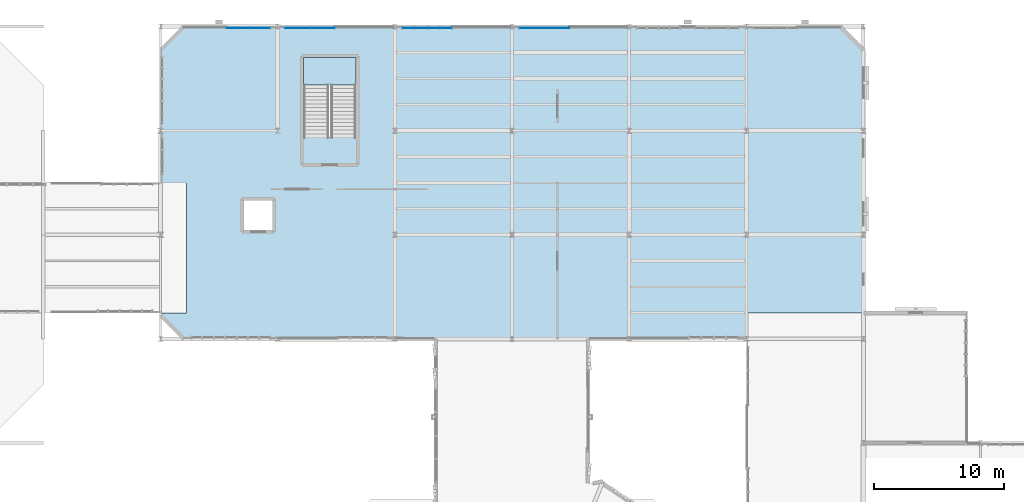
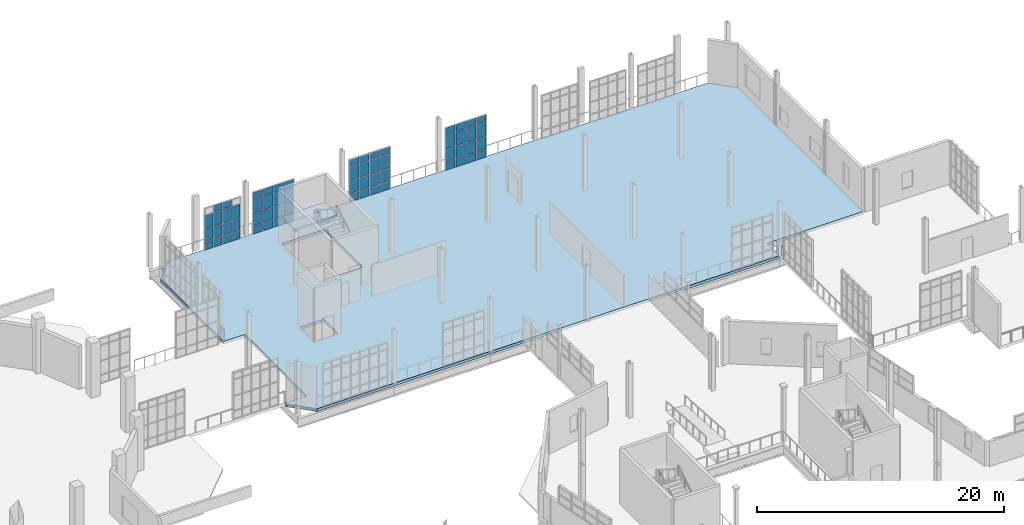
# One storey, part 113 of 142: 62 plates, 2 slabs, 5 elements without a shape of their own.
"""IFC4 building model written with IfcOpenShell, lengths in metres."""

from ifc_helpers import new_model, si_unit, direction, frame, origin, origin_2d, place, context, subcontext, project, spatial, polyline, rectangle, outline, extrude, material, layer, layer_set, type_object, element, aggregate, save


model = new_model("IFC4")

# Units and contexts
model_context = context("Model", 3, precision=1e-05, world=origin(), true_north=direction((0.0, 1.0)))
body_context = subcontext(model_context, "Body", "Model", "MODEL_VIEW")
ifc_project = project(units=[si_unit("LENGTHUNIT", "METRE"), si_unit("AREAUNIT", "SQUARE_METRE"), si_unit("VOLUMEUNIT", "CUBIC_METRE"), si_unit("PLANEANGLEUNIT", "RADIAN"), si_unit("MASSUNIT", "GRAM", prefix="KILO"), si_unit("THERMODYNAMICTEMPERATUREUNIT", "KELVIN"), si_unit("POWERUNIT", "WATT")], contexts=[model_context])

# Site, building, storey
site_placement = place(None, origin())
site = spatial("IfcSite", under=ifc_project, at=site_placement, CompositionType="ELEMENT")
building_placement = place(site_placement, origin())
building = spatial("IfcBuilding", under=site, at=building_placement, Name="Zelmaris Science Centre", CompositionType="ELEMENT")
storey_placement = place(building_placement, frame((0.0, 0.0, 5.39990234375)))
storey = spatial("IfcBuildingStorey", under=building, at=storey_placement, Name="L01", CompositionType="ELEMENT", Elevation=5.39990234375)

# Curtain wall, plates
ifc_material_1 = material(Name="Anodised architectural aluminium 6063-T6", Category="aluminium")
ifc_layer_1 = layer(ifc_material_1, 0.199951171875, Name="Anodised architectural aluminium 6063-T6")
ifc_layer_set_1 = layer_set([ifc_layer_1], Name="Anodised architectural aluminium 6063-T6")
curtain_wall_type_1 = type_object("IfcCurtainWallType", Name="Curtain Wall CW-02", PredefinedType="USERDEFINED", material=ifc_layer_set_1)
curtain_wall_1_placement = place(storey_placement, origin())
curtain_wall_1 = element("IfcCurtainWall", 1, at=curtain_wall_1_placement, inside=storey, type_object=curtain_wall_type_1, Name="L01 Unitised curtain wall 134", ObjectType="GLAZED CURTAIN WALL", PredefinedType="USERDEFINED")
ifc_material_2 = material(Name="Laminated hurricane-rated low-E insulated glazing", Category="glass")
ifc_layer_2 = layer(ifc_material_2, 0.028076171875, Name="Laminated hurricane-rated low-E insulated glazing")
ifc_layer_set_2 = layer_set([ifc_layer_2], Name="Laminated hurricane-rated low-E insulated glazing")
plate_type_1 = type_object("IfcPlateType", Name="Curtain Glazing Panel CWP-2 28mm", PredefinedType="CURTAIN_PANEL", material=ifc_layer_set_2)
plate_1_placement = place(storey_placement, frame((73.044189453125, 87.8798828125, 0.052001953125), z_axis=(0.0, 0.0, 1.0), x_axis=(1.0, 0.0, 0.0)))
plate_1 = element("IfcPlate", 2, at=plate_1_placement, type_object=plate_type_1, Name="CW-02 panel 1.1", PredefinedType="CURTAIN_PANEL", context=body_context, shape_type="SweptSolid", body=[
    extrude(rectangle(XDim=0.87451171875, YDim=0.028076171875, at=origin_2d()), origin(), (0.0, 0.0, 1.0), 0.74951171875),
])
plate_2_placement = place(storey_placement, frame((73.044189453125, 87.8798828125, 0.86865234375), z_axis=(0.0, 0.0, 1.0), x_axis=(1.0, 0.0, 0.0)))
plate_2 = element("IfcPlate", 3, at=plate_2_placement, type_object=plate_type_1, Name="CW-02 panel 1.2", PredefinedType="CURTAIN_PANEL", context=body_context, shape_type="SweptSolid", body=[
    extrude(rectangle(XDim=0.87451171875, YDim=0.028076171875, at=origin_2d()), origin(), (0.0, 0.0, 1.0), 1.217529296875),
])
plate_3_placement = place(storey_placement, frame((73.044189453125, 87.8798828125, 2.1533203125), z_axis=(0.0, 0.0, 1.0), x_axis=(1.0, 0.0, 0.0)))
plate_3 = element("IfcPlate", 4, at=plate_3_placement, type_object=plate_type_1, Name="CW-02 panel 1.3", PredefinedType="CURTAIN_PANEL", context=body_context, shape_type="SweptSolid", body=[
    extrude(rectangle(XDim=0.87451171875, YDim=0.028076171875, at=origin_2d()), origin(), (0.0, 0.0, 1.0), 1.367431640625),
])
plate_4_placement = place(storey_placement, frame((73.044189453125, 87.8798828125, 3.587646484375), z_axis=(0.0, 0.0, 1.0), x_axis=(1.0, 0.0, 0.0)))
plate_4 = element("IfcPlate", 5, at=plate_4_placement, type_object=plate_type_1, Name="CW-02 panel 1.4", PredefinedType="CURTAIN_PANEL", context=body_context, shape_type="SweptSolid", body=[
    extrude(rectangle(XDim=0.87451171875, YDim=0.028076171875, at=origin_2d()), origin(), (0.0, 0.0, 1.0), 0.599609375),
])
plate_5_placement = place(storey_placement, frame((74.00244140625, 87.8798828125, 0.052001953125), z_axis=(0.0, 0.0, 1.0), x_axis=(1.0, 0.0, 0.0)))
plate_5 = element("IfcPlate", 6, at=plate_5_placement, type_object=plate_type_1, Name="CW-02 panel 2.1", PredefinedType="CURTAIN_PANEL", context=body_context, shape_type="SweptSolid", body=[
    extrude(rectangle(XDim=0.907958984375, YDim=0.028076171875, at=origin_2d()), origin(), (0.0, 0.0, 1.0), 0.74951171875),
])
plate_6_placement = place(storey_placement, frame((74.00244140625, 87.8798828125, 0.86865234375), z_axis=(0.0, 0.0, 1.0), x_axis=(1.0, 0.0, 0.0)))
plate_6 = element("IfcPlate", 7, at=plate_6_placement, type_object=plate_type_1, Name="CW-02 panel 2.2", PredefinedType="CURTAIN_PANEL", context=body_context, shape_type="SweptSolid", body=[
    extrude(rectangle(XDim=0.907958984375, YDim=0.028076171875, at=origin_2d()), origin(), (0.0, 0.0, 1.0), 1.217529296875),
])
plate_7_placement = place(storey_placement, frame((74.00244140625, 87.8798828125, 2.1533203125), z_axis=(0.0, 0.0, 1.0), x_axis=(1.0, 0.0, 0.0)))
plate_7 = element("IfcPlate", 8, at=plate_7_placement, type_object=plate_type_1, Name="CW-02 panel 2.3", PredefinedType="CURTAIN_PANEL", context=body_context, shape_type="SweptSolid", body=[
    extrude(rectangle(XDim=0.907958984375, YDim=0.028076171875, at=origin_2d()), origin(), (0.0, 0.0, 1.0), 1.367431640625),
])
plate_8_placement = place(storey_placement, frame((74.00244140625, 87.8798828125, 3.587646484375), z_axis=(0.0, 0.0, 1.0), x_axis=(1.0, 0.0, 0.0)))
plate_8 = element("IfcPlate", 9, at=plate_8_placement, type_object=plate_type_1, Name="CW-02 panel 2.4", PredefinedType="CURTAIN_PANEL", context=body_context, shape_type="SweptSolid", body=[
    extrude(rectangle(XDim=0.907958984375, YDim=0.028076171875, at=origin_2d()), origin(), (0.0, 0.0, 1.0), 0.599609375),
])
plate_9_placement = place(storey_placement, frame((74.9775390625, 87.8798828125, 0.052001953125), z_axis=(0.0, 0.0, 1.0), x_axis=(1.0, 0.0, 0.0)))
plate_9 = element("IfcPlate", 10, at=plate_9_placement, type_object=plate_type_1, Name="CW-02 panel 3.1", PredefinedType="CURTAIN_PANEL", context=body_context, shape_type="SweptSolid", body=[
    extrude(rectangle(XDim=0.907958984375, YDim=0.028076171875, at=origin_2d()), origin(), (0.0, 0.0, 1.0), 0.74951171875),
])
plate_10_placement = place(storey_placement, frame((74.9775390625, 87.8798828125, 0.86865234375), z_axis=(0.0, 0.0, 1.0), x_axis=(1.0, 0.0, 0.0)))
plate_10 = element("IfcPlate", 11, at=plate_10_placement, type_object=plate_type_1, Name="CW-02 panel 3.2", PredefinedType="CURTAIN_PANEL", context=body_context, shape_type="SweptSolid", body=[
    extrude(rectangle(XDim=0.907958984375, YDim=0.028076171875, at=origin_2d()), origin(), (0.0, 0.0, 1.0), 1.217529296875),
])
plate_11_placement = place(storey_placement, frame((74.9775390625, 87.8798828125, 2.1533203125), z_axis=(0.0, 0.0, 1.0), x_axis=(1.0, 0.0, 0.0)))
plate_11 = element("IfcPlate", 12, at=plate_11_placement, type_object=plate_type_1, Name="CW-02 panel 3.3", PredefinedType="CURTAIN_PANEL", context=body_context, shape_type="SweptSolid", body=[
    extrude(rectangle(XDim=0.907958984375, YDim=0.028076171875, at=origin_2d()), origin(), (0.0, 0.0, 1.0), 1.367431640625),
])
plate_12_placement = place(storey_placement, frame((74.9775390625, 87.8798828125, 3.587646484375), z_axis=(0.0, 0.0, 1.0), x_axis=(1.0, 0.0, 0.0)))
plate_12 = element("IfcPlate", 13, at=plate_12_placement, type_object=plate_type_1, Name="CW-02 panel 3.4", PredefinedType="CURTAIN_PANEL", context=body_context, shape_type="SweptSolid", body=[
    extrude(rectangle(XDim=0.907958984375, YDim=0.028076171875, at=origin_2d()), origin(), (0.0, 0.0, 1.0), 0.599609375),
])
plate_13_placement = place(storey_placement, frame((75.935791015625, 87.8798828125, 0.052001953125), z_axis=(0.0, 0.0, 1.0), x_axis=(1.0, 0.0, 0.0)))
plate_13 = element("IfcPlate", 14, at=plate_13_placement, type_object=plate_type_1, Name="CW-02 panel 4.1", PredefinedType="CURTAIN_PANEL", context=body_context, shape_type="SweptSolid", body=[
    extrude(rectangle(XDim=0.87451171875, YDim=0.028076171875, at=origin_2d()), origin(), (0.0, 0.0, 1.0), 0.74951171875),
])
plate_14_placement = place(storey_placement, frame((75.935791015625, 87.8798828125, 0.86865234375), z_axis=(0.0, 0.0, 1.0), x_axis=(1.0, 0.0, 0.0)))
plate_14 = element("IfcPlate", 15, at=plate_14_placement, type_object=plate_type_1, Name="CW-02 panel 4.2", PredefinedType="CURTAIN_PANEL", context=body_context, shape_type="SweptSolid", body=[
    extrude(rectangle(XDim=0.87451171875, YDim=0.028076171875, at=origin_2d()), origin(), (0.0, 0.0, 1.0), 1.217529296875),
])
plate_15_placement = place(storey_placement, frame((75.935791015625, 87.8798828125, 2.1533203125), z_axis=(0.0, 0.0, 1.0), x_axis=(1.0, 0.0, 0.0)))
plate_15 = element("IfcPlate", 16, at=plate_15_placement, type_object=plate_type_1, Name="CW-02 panel 4.3", PredefinedType="CURTAIN_PANEL", context=body_context, shape_type="SweptSolid", body=[
    extrude(rectangle(XDim=0.87451171875, YDim=0.028076171875, at=origin_2d()), origin(), (0.0, 0.0, 1.0), 1.367431640625),
])
plate_16_placement = place(storey_placement, frame((75.935791015625, 87.8798828125, 3.587646484375), z_axis=(0.0, 0.0, 1.0), x_axis=(1.0, 0.0, 0.0)))
plate_16 = element("IfcPlate", 17, at=plate_16_placement, type_object=plate_type_1, Name="CW-02 panel 4.4", PredefinedType="CURTAIN_PANEL", context=body_context, shape_type="SweptSolid", body=[
    extrude(rectangle(XDim=0.87451171875, YDim=0.028076171875, at=origin_2d()), origin(), (0.0, 0.0, 1.0), 0.599609375),
])
aggregate(curtain_wall_1, [plate_1, plate_2, plate_3, plate_4, plate_5, plate_6, plate_7, plate_8, plate_9, plate_10, plate_11, plate_12, plate_13, plate_14, plate_15, plate_16])

ifc_layer_3 = layer(ifc_material_1, 0.2099609375, Name="Anodised architectural aluminium 6063-T6")
ifc_layer_set_3 = layer_set([ifc_layer_3], Name="Anodised architectural aluminium 6063-T6")
curtain_wall_type_2 = type_object("IfcCurtainWallType", Name="Curtain Wall CW-03", PredefinedType="USERDEFINED", material=ifc_layer_set_3)
curtain_wall_2_placement = place(storey_placement, origin())
curtain_wall_2 = element("IfcCurtainWall", 18, at=curtain_wall_2_placement, inside=storey, type_object=curtain_wall_type_2, Name="L01 Unitised curtain wall 131", ObjectType="GLAZED CURTAIN WALL", PredefinedType="USERDEFINED")
ifc_layer_4 = layer(ifc_material_2, 0.02587890625, Name="Laminated hurricane-rated low-E insulated glazing")
ifc_layer_set_4 = layer_set([ifc_layer_4], Name="Laminated hurricane-rated low-E insulated glazing")
plate_type_2 = type_object("IfcPlateType", Name="Curtain Glazing Panel CWP-3 26mm", PredefinedType="CURTAIN_PANEL", material=ifc_layer_set_4)
plate_17_placement = place(storey_placement, frame((59.481689453125, 87.8798828125, 0.0419921875), z_axis=(0.0, 0.0, 1.0), x_axis=(1.0, 0.0, 0.0)))
plate_17 = element("IfcPlate", 19, at=plate_17_placement, type_object=plate_type_2, Name="CW-03 panel 1.1", PredefinedType="CURTAIN_PANEL", context=body_context, shape_type="SweptSolid", body=[
    extrude(rectangle(XDim=0.76953125, YDim=0.02587890625, at=origin_2d()), origin(), (0.0, 0.0, 1.0), 0.764404296875),
])
plate_18_placement = place(storey_placement, frame((59.481689453125, 87.8798828125, 0.86376953125), z_axis=(0.0, 0.0, 1.0), x_axis=(1.0, 0.0, 0.0)))
plate_18 = element("IfcPlate", 20, at=plate_18_placement, type_object=plate_type_2, Name="CW-03 panel 1.2", PredefinedType="CURTAIN_PANEL", context=body_context, shape_type="SweptSolid", body=[
    extrude(rectangle(XDim=0.76953125, YDim=0.02587890625, at=origin_2d()), origin(), (0.0, 0.0, 1.0), 1.196044921875),
])
plate_19_placement = place(storey_placement, frame((59.481689453125, 87.8798828125, 2.11669921875), z_axis=(0.0, 0.0, 1.0), x_axis=(1.0, 0.0, 0.0)))
plate_19 = element("IfcPlate", 21, at=plate_19_placement, type_object=plate_type_2, Name="CW-03 panel 1.3", PredefinedType="CURTAIN_PANEL", context=body_context, shape_type="SweptSolid", body=[
    extrude(rectangle(XDim=0.76953125, YDim=0.02587890625, at=origin_2d()), origin(), (0.0, 0.0, 1.0), 1.345947265625),
])
plate_20_placement = place(storey_placement, frame((60.322509765625, 87.8798828125, 0.0419921875), z_axis=(0.0, 0.0, 1.0), x_axis=(1.0, 0.0, 0.0)))
plate_20 = element("IfcPlate", 22, at=plate_20_placement, type_object=plate_type_2, Name="CW-03 panel 2.1", PredefinedType="CURTAIN_PANEL", context=body_context, shape_type="SweptSolid", body=[
    extrude(rectangle(XDim=0.798095703125, YDim=0.02587890625, at=origin_2d()), origin(), (0.0, 0.0, 1.0), 0.764404296875),
])
plate_21_placement = place(storey_placement, frame((60.322509765625, 87.8798828125, 0.86376953125), z_axis=(0.0, 0.0, 1.0), x_axis=(1.0, 0.0, 0.0)))
plate_21 = element("IfcPlate", 23, at=plate_21_placement, type_object=plate_type_2, Name="CW-03 panel 2.2", PredefinedType="CURTAIN_PANEL", context=body_context, shape_type="SweptSolid", body=[
    extrude(rectangle(XDim=0.798095703125, YDim=0.02587890625, at=origin_2d()), origin(), (0.0, 0.0, 1.0), 1.196044921875),
])
plate_22_placement = place(storey_placement, frame((60.322509765625, 87.8798828125, 2.11669921875), z_axis=(0.0, 0.0, 1.0), x_axis=(1.0, 0.0, 0.0)))
plate_22 = element("IfcPlate", 24, at=plate_22_placement, type_object=plate_type_2, Name="CW-03 panel 2.3", PredefinedType="CURTAIN_PANEL", context=body_context, shape_type="SweptSolid", body=[
    extrude(rectangle(XDim=0.798095703125, YDim=0.02587890625, at=origin_2d()), origin(), (0.0, 0.0, 1.0), 1.345947265625),
])
plate_23_placement = place(storey_placement, frame((60.322509765625, 87.8798828125, 3.51953125), z_axis=(0.0, 0.0, 1.0), x_axis=(1.0, 0.0, 0.0)))
plate_23 = element("IfcPlate", 25, at=plate_23_placement, type_object=plate_type_2, Name="CW-03 panel 2.4", PredefinedType="CURTAIN_PANEL", context=body_context, shape_type="SweptSolid", body=[
    extrude(rectangle(XDim=0.798095703125, YDim=0.02587890625, at=origin_2d()), origin(), (0.0, 0.0, 1.0), 0.614501953125),
])
plate_24_placement = place(storey_placement, frame((61.177490234375, 87.8798828125, 0.0419921875), z_axis=(0.0, 0.0, 1.0), x_axis=(1.0, 0.0, 0.0)))
plate_24 = element("IfcPlate", 26, at=plate_24_placement, type_object=plate_type_2, Name="CW-03 panel 3.1", PredefinedType="CURTAIN_PANEL", context=body_context, shape_type="SweptSolid", body=[
    extrude(rectangle(XDim=0.798095703125, YDim=0.02587890625, at=origin_2d()), origin(), (0.0, 0.0, 1.0), 0.764404296875),
])
plate_25_placement = place(storey_placement, frame((61.177490234375, 87.8798828125, 0.86376953125), z_axis=(0.0, 0.0, 1.0), x_axis=(1.0, 0.0, 0.0)))
plate_25 = element("IfcPlate", 27, at=plate_25_placement, type_object=plate_type_2, Name="CW-03 panel 3.2", PredefinedType="CURTAIN_PANEL", context=body_context, shape_type="SweptSolid", body=[
    extrude(rectangle(XDim=0.798095703125, YDim=0.02587890625, at=origin_2d()), origin(), (0.0, 0.0, 1.0), 1.196044921875),
])
plate_26_placement = place(storey_placement, frame((61.177490234375, 87.8798828125, 2.11669921875), z_axis=(0.0, 0.0, 1.0), x_axis=(1.0, 0.0, 0.0)))
plate_26 = element("IfcPlate", 28, at=plate_26_placement, type_object=plate_type_2, Name="CW-03 panel 3.3", PredefinedType="CURTAIN_PANEL", context=body_context, shape_type="SweptSolid", body=[
    extrude(rectangle(XDim=0.798095703125, YDim=0.02587890625, at=origin_2d()), origin(), (0.0, 0.0, 1.0), 1.345947265625),
])
plate_27_placement = place(storey_placement, frame((61.177490234375, 87.8798828125, 3.51953125), z_axis=(0.0, 0.0, 1.0), x_axis=(1.0, 0.0, 0.0)))
plate_27 = element("IfcPlate", 29, at=plate_27_placement, type_object=plate_type_2, Name="CW-03 panel 3.4", PredefinedType="CURTAIN_PANEL", context=body_context, shape_type="SweptSolid", body=[
    extrude(rectangle(XDim=0.798095703125, YDim=0.02587890625, at=origin_2d()), origin(), (0.0, 0.0, 1.0), 0.614501953125),
])
plate_28_placement = place(storey_placement, frame((62.018310546875, 87.8798828125, 0.0419921875), z_axis=(0.0, 0.0, 1.0), x_axis=(1.0, 0.0, 0.0)))
plate_28 = element("IfcPlate", 30, at=plate_28_placement, type_object=plate_type_2, Name="CW-03 panel 4.1", PredefinedType="CURTAIN_PANEL", context=body_context, shape_type="SweptSolid", body=[
    extrude(rectangle(XDim=0.76953125, YDim=0.02587890625, at=origin_2d()), origin(), (0.0, 0.0, 1.0), 0.764404296875),
])
plate_29_placement = place(storey_placement, frame((62.018310546875, 87.8798828125, 0.86376953125), z_axis=(0.0, 0.0, 1.0), x_axis=(1.0, 0.0, 0.0)))
plate_29 = element("IfcPlate", 31, at=plate_29_placement, type_object=plate_type_2, Name="CW-03 panel 4.2", PredefinedType="CURTAIN_PANEL", context=body_context, shape_type="SweptSolid", body=[
    extrude(rectangle(XDim=0.76953125, YDim=0.02587890625, at=origin_2d()), origin(), (0.0, 0.0, 1.0), 1.196044921875),
])
plate_30_placement = place(storey_placement, frame((62.018310546875, 87.8798828125, 2.11669921875), z_axis=(0.0, 0.0, 1.0), x_axis=(1.0, 0.0, 0.0)))
plate_30 = element("IfcPlate", 32, at=plate_30_placement, type_object=plate_type_2, Name="CW-03 panel 4.3", PredefinedType="CURTAIN_PANEL", context=body_context, shape_type="SweptSolid", body=[
    extrude(rectangle(XDim=0.76953125, YDim=0.02587890625, at=origin_2d()), origin(), (0.0, 0.0, 1.0), 1.345947265625),
])
aggregate(curtain_wall_2, [plate_17, plate_18, plate_19, plate_20, plate_21, plate_22, plate_23, plate_24, plate_25, plate_26, plate_27, plate_28, plate_29, plate_30])

ifc_layer_5 = layer(ifc_material_1, 0.219970703125, Name="Anodised architectural aluminium 6063-T6")
ifc_layer_set_5 = layer_set([ifc_layer_5], Name="Anodised architectural aluminium 6063-T6")
curtain_wall_type_3 = type_object("IfcCurtainWallType", Name="Curtain Wall CW-04", PredefinedType="USERDEFINED", material=ifc_layer_set_5)
curtain_wall_3_placement = place(storey_placement, origin())
curtain_wall_3 = element("IfcCurtainWall", 33, at=curtain_wall_3_placement, inside=storey, type_object=curtain_wall_type_3, Name="L01 Unitised curtain wall 132", ObjectType="GLAZED CURTAIN WALL", PredefinedType="USERDEFINED")
ifc_layer_6 = layer(ifc_material_2, 0.02392578125, Name="Laminated hurricane-rated low-E insulated glazing")
ifc_layer_set_6 = layer_set([ifc_layer_6], Name="Laminated hurricane-rated low-E insulated glazing")
plate_type_3 = type_object("IfcPlateType", Name="Curtain Glazing Panel CWP-4 24mm", PredefinedType="CURTAIN_PANEL", material=ifc_layer_set_6)
plate_31_placement = place(storey_placement, frame((64.04052734375, 87.8798828125, 0.037109375), z_axis=(0.0, 0.0, 1.0), x_axis=(1.0, 0.0, 0.0)))
plate_31 = element("IfcPlate", 34, at=plate_31_placement, type_object=plate_type_3, Name="CW-04 panel 1.1", PredefinedType="CURTAIN_PANEL", context=body_context, shape_type="SweptSolid", body=[
    extrude(rectangle(XDim=0.89697265625, YDim=0.02392578125, at=origin_2d()), origin(), (0.0, 0.0, 1.0), 0.77197265625),
])
plate_32_placement = place(storey_placement, frame((64.04052734375, 87.8798828125, 0.861328125), z_axis=(0.0, 0.0, 1.0), x_axis=(1.0, 0.0, 0.0)))
plate_32 = element("IfcPlate", 35, at=plate_32_placement, type_object=plate_type_3, Name="CW-04 panel 1.2", PredefinedType="CURTAIN_PANEL", context=body_context, shape_type="SweptSolid", body=[
    extrude(rectangle(XDim=0.89697265625, YDim=0.02392578125, at=origin_2d()), origin(), (0.0, 0.0, 1.0), 1.200927734375),
])
plate_33_placement = place(storey_placement, frame((64.04052734375, 87.8798828125, 2.114013671875), z_axis=(0.0, 0.0, 1.0), x_axis=(1.0, 0.0, 0.0)))
plate_33 = element("IfcPlate", 36, at=plate_33_placement, type_object=plate_type_3, Name="CW-04 panel 1.3", PredefinedType="CURTAIN_PANEL", context=body_context, shape_type="SweptSolid", body=[
    extrude(rectangle(XDim=0.89697265625, YDim=0.02392578125, at=origin_2d()), origin(), (0.0, 0.0, 1.0), 1.35107421875),
])
plate_34_placement = place(storey_placement, frame((64.04052734375, 87.8798828125, 3.51708984375), z_axis=(0.0, 0.0, 1.0), x_axis=(1.0, 0.0, 0.0)))
plate_34 = element("IfcPlate", 37, at=plate_34_placement, type_object=plate_type_3, Name="CW-04 panel 1.4", PredefinedType="CURTAIN_PANEL", context=body_context, shape_type="SweptSolid", body=[
    extrude(rectangle(XDim=0.89697265625, YDim=0.02392578125, at=origin_2d()), origin(), (0.0, 0.0, 1.0), 0.6220703125),
])
plate_35_placement = place(storey_placement, frame((65.00244140625, 87.8798828125, 0.037109375), z_axis=(0.0, 0.0, 1.0), x_axis=(1.0, 0.0, 0.0)))
plate_35 = element("IfcPlate", 38, at=plate_35_placement, type_object=plate_type_3, Name="CW-04 panel 2.1", PredefinedType="CURTAIN_PANEL", context=body_context, shape_type="SweptSolid", body=[
    extrude(rectangle(XDim=0.923095703125, YDim=0.02392578125, at=origin_2d()), origin(), (0.0, 0.0, 1.0), 0.77197265625),
])
plate_36_placement = place(storey_placement, frame((65.00244140625, 87.8798828125, 0.861328125), z_axis=(0.0, 0.0, 1.0), x_axis=(1.0, 0.0, 0.0)))
plate_36 = element("IfcPlate", 39, at=plate_36_placement, type_object=plate_type_3, Name="CW-04 panel 2.2", PredefinedType="CURTAIN_PANEL", context=body_context, shape_type="SweptSolid", body=[
    extrude(rectangle(XDim=0.923095703125, YDim=0.02392578125, at=origin_2d()), origin(), (0.0, 0.0, 1.0), 1.200927734375),
])
plate_37_placement = place(storey_placement, frame((65.00244140625, 87.8798828125, 2.114013671875), z_axis=(0.0, 0.0, 1.0), x_axis=(1.0, 0.0, 0.0)))
plate_37 = element("IfcPlate", 40, at=plate_37_placement, type_object=plate_type_3, Name="CW-04 panel 2.3", PredefinedType="CURTAIN_PANEL", context=body_context, shape_type="SweptSolid", body=[
    extrude(rectangle(XDim=0.923095703125, YDim=0.02392578125, at=origin_2d()), origin(), (0.0, 0.0, 1.0), 1.35107421875),
])
plate_38_placement = place(storey_placement, frame((65.00244140625, 87.8798828125, 3.51708984375), z_axis=(0.0, 0.0, 1.0), x_axis=(1.0, 0.0, 0.0)))
plate_38 = element("IfcPlate", 41, at=plate_38_placement, type_object=plate_type_3, Name="CW-04 panel 2.4", PredefinedType="CURTAIN_PANEL", context=body_context, shape_type="SweptSolid", body=[
    extrude(rectangle(XDim=0.923095703125, YDim=0.02392578125, at=origin_2d()), origin(), (0.0, 0.0, 1.0), 0.6220703125),
])
plate_39_placement = place(storey_placement, frame((65.9775390625, 87.8798828125, 0.037109375), z_axis=(0.0, 0.0, 1.0), x_axis=(1.0, 0.0, 0.0)))
plate_39 = element("IfcPlate", 42, at=plate_39_placement, type_object=plate_type_3, Name="CW-04 panel 3.1", PredefinedType="CURTAIN_PANEL", context=body_context, shape_type="SweptSolid", body=[
    extrude(rectangle(XDim=0.923095703125, YDim=0.02392578125, at=origin_2d()), origin(), (0.0, 0.0, 1.0), 0.77197265625),
])
plate_40_placement = place(storey_placement, frame((65.9775390625, 87.8798828125, 0.861328125), z_axis=(0.0, 0.0, 1.0), x_axis=(1.0, 0.0, 0.0)))
plate_40 = element("IfcPlate", 43, at=plate_40_placement, type_object=plate_type_3, Name="CW-04 panel 3.2", PredefinedType="CURTAIN_PANEL", context=body_context, shape_type="SweptSolid", body=[
    extrude(rectangle(XDim=0.923095703125, YDim=0.02392578125, at=origin_2d()), origin(), (0.0, 0.0, 1.0), 1.200927734375),
])
plate_41_placement = place(storey_placement, frame((65.9775390625, 87.8798828125, 2.114013671875), z_axis=(0.0, 0.0, 1.0), x_axis=(1.0, 0.0, 0.0)))
plate_41 = element("IfcPlate", 44, at=plate_41_placement, type_object=plate_type_3, Name="CW-04 panel 3.3", PredefinedType="CURTAIN_PANEL", context=body_context, shape_type="SweptSolid", body=[
    extrude(rectangle(XDim=0.923095703125, YDim=0.02392578125, at=origin_2d()), origin(), (0.0, 0.0, 1.0), 1.35107421875),
])
plate_42_placement = place(storey_placement, frame((65.9775390625, 87.8798828125, 3.51708984375), z_axis=(0.0, 0.0, 1.0), x_axis=(1.0, 0.0, 0.0)))
plate_42 = element("IfcPlate", 45, at=plate_42_placement, type_object=plate_type_3, Name="CW-04 panel 3.4", PredefinedType="CURTAIN_PANEL", context=body_context, shape_type="SweptSolid", body=[
    extrude(rectangle(XDim=0.923095703125, YDim=0.02392578125, at=origin_2d()), origin(), (0.0, 0.0, 1.0), 0.6220703125),
])
plate_43_placement = place(storey_placement, frame((66.939453125, 87.8798828125, 0.037109375), z_axis=(0.0, 0.0, 1.0), x_axis=(1.0, 0.0, 0.0)))
plate_43 = element("IfcPlate", 46, at=plate_43_placement, type_object=plate_type_3, Name="CW-04 panel 4.1", PredefinedType="CURTAIN_PANEL", context=body_context, shape_type="SweptSolid", body=[
    extrude(rectangle(XDim=0.89697265625, YDim=0.02392578125, at=origin_2d()), origin(), (0.0, 0.0, 1.0), 0.77197265625),
])
plate_44_placement = place(storey_placement, frame((66.939453125, 87.8798828125, 0.861328125), z_axis=(0.0, 0.0, 1.0), x_axis=(1.0, 0.0, 0.0)))
plate_44 = element("IfcPlate", 47, at=plate_44_placement, type_object=plate_type_3, Name="CW-04 panel 4.2", PredefinedType="CURTAIN_PANEL", context=body_context, shape_type="SweptSolid", body=[
    extrude(rectangle(XDim=0.89697265625, YDim=0.02392578125, at=origin_2d()), origin(), (0.0, 0.0, 1.0), 1.200927734375),
])
plate_45_placement = place(storey_placement, frame((66.939453125, 87.8798828125, 2.114013671875), z_axis=(0.0, 0.0, 1.0), x_axis=(1.0, 0.0, 0.0)))
plate_45 = element("IfcPlate", 48, at=plate_45_placement, type_object=plate_type_3, Name="CW-04 panel 4.3", PredefinedType="CURTAIN_PANEL", context=body_context, shape_type="SweptSolid", body=[
    extrude(rectangle(XDim=0.89697265625, YDim=0.02392578125, at=origin_2d()), origin(), (0.0, 0.0, 1.0), 1.35107421875),
])
plate_46_placement = place(storey_placement, frame((66.939453125, 87.8798828125, 3.51708984375), z_axis=(0.0, 0.0, 1.0), x_axis=(1.0, 0.0, 0.0)))
plate_46 = element("IfcPlate", 49, at=plate_46_placement, type_object=plate_type_3, Name="CW-04 panel 4.4", PredefinedType="CURTAIN_PANEL", context=body_context, shape_type="SweptSolid", body=[
    extrude(rectangle(XDim=0.89697265625, YDim=0.02392578125, at=origin_2d()), origin(), (0.0, 0.0, 1.0), 0.6220703125),
])
aggregate(curtain_wall_3, [plate_31, plate_32, plate_33, plate_34, plate_35, plate_36, plate_37, plate_38, plate_39, plate_40, plate_41, plate_42, plate_43, plate_44, plate_45, plate_46])

curtain_wall_4_placement = place(storey_placement, origin())
curtain_wall_4 = element("IfcCurtainWall", 50, at=curtain_wall_4_placement, inside=storey, type_object=curtain_wall_type_3, Name="L01 Unitised curtain wall 136", ObjectType="GLAZED CURTAIN WALL", PredefinedType="USERDEFINED")
plate_47_placement = place(storey_placement, frame((82.04052734375, 87.8798828125, 0.037109375), z_axis=(0.0, 0.0, 1.0), x_axis=(1.0, 0.0, 0.0)))
plate_47 = element("IfcPlate", 51, at=plate_47_placement, type_object=plate_type_3, Name="CW-04 panel 1.1", PredefinedType="CURTAIN_PANEL", context=body_context, shape_type="SweptSolid", body=[
    extrude(rectangle(XDim=0.89697265625, YDim=0.02392578125, at=origin_2d()), origin(), (0.0, 0.0, 1.0), 0.77197265625),
])
plate_48_placement = place(storey_placement, frame((82.04052734375, 87.8798828125, 0.86083984375), z_axis=(0.0, 0.0, 1.0), x_axis=(1.0, 0.0, 0.0)))
plate_48 = element("IfcPlate", 52, at=plate_48_placement, type_object=plate_type_3, Name="CW-04 panel 1.2", PredefinedType="CURTAIN_PANEL", context=body_context, shape_type="SweptSolid", body=[
    extrude(rectangle(XDim=0.89697265625, YDim=0.02392578125, at=origin_2d()), origin(), (0.0, 0.0, 1.0), 1.237548828125),
])
plate_49_placement = place(storey_placement, frame((82.04052734375, 87.8798828125, 2.150390625), z_axis=(0.0, 0.0, 1.0), x_axis=(1.0, 0.0, 0.0)))
plate_49 = element("IfcPlate", 53, at=plate_49_placement, type_object=plate_type_3, Name="CW-04 panel 1.3", PredefinedType="CURTAIN_PANEL", context=body_context, shape_type="SweptSolid", body=[
    extrude(rectangle(XDim=0.89697265625, YDim=0.02392578125, at=origin_2d()), origin(), (0.0, 0.0, 1.0), 1.387451171875),
])
plate_50_placement = place(storey_placement, frame((82.04052734375, 87.8798828125, 3.590087890625), z_axis=(0.0, 0.0, 1.0), x_axis=(1.0, 0.0, 0.0)))
plate_50 = element("IfcPlate", 54, at=plate_50_placement, type_object=plate_type_3, Name="CW-04 panel 1.4", PredefinedType="CURTAIN_PANEL", context=body_context, shape_type="SweptSolid", body=[
    extrude(rectangle(XDim=0.89697265625, YDim=0.02392578125, at=origin_2d()), origin(), (0.0, 0.0, 1.0), 0.6220703125),
])
plate_51_placement = place(storey_placement, frame((83.00244140625, 87.8798828125, 0.037109375), z_axis=(0.0, 0.0, 1.0), x_axis=(1.0, 0.0, 0.0)))
plate_51 = element("IfcPlate", 55, at=plate_51_placement, type_object=plate_type_3, Name="CW-04 panel 2.1", PredefinedType="CURTAIN_PANEL", context=body_context, shape_type="SweptSolid", body=[
    extrude(rectangle(XDim=0.923095703125, YDim=0.02392578125, at=origin_2d()), origin(), (0.0, 0.0, 1.0), 0.77197265625),
])
plate_52_placement = place(storey_placement, frame((83.00244140625, 87.8798828125, 0.86083984375), z_axis=(0.0, 0.0, 1.0), x_axis=(1.0, 0.0, 0.0)))
plate_52 = element("IfcPlate", 56, at=plate_52_placement, type_object=plate_type_3, Name="CW-04 panel 2.2", PredefinedType="CURTAIN_PANEL", context=body_context, shape_type="SweptSolid", body=[
    extrude(rectangle(XDim=0.923095703125, YDim=0.02392578125, at=origin_2d()), origin(), (0.0, 0.0, 1.0), 1.237548828125),
])
plate_53_placement = place(storey_placement, frame((83.00244140625, 87.8798828125, 2.150390625), z_axis=(0.0, 0.0, 1.0), x_axis=(1.0, 0.0, 0.0)))
plate_53 = element("IfcPlate", 57, at=plate_53_placement, type_object=plate_type_3, Name="CW-04 panel 2.3", PredefinedType="CURTAIN_PANEL", context=body_context, shape_type="SweptSolid", body=[
    extrude(rectangle(XDim=0.923095703125, YDim=0.02392578125, at=origin_2d()), origin(), (0.0, 0.0, 1.0), 1.387451171875),
])
plate_54_placement = place(storey_placement, frame((83.00244140625, 87.8798828125, 3.590087890625), z_axis=(0.0, 0.0, 1.0), x_axis=(1.0, 0.0, 0.0)))
plate_54 = element("IfcPlate", 58, at=plate_54_placement, type_object=plate_type_3, Name="CW-04 panel 2.4", PredefinedType="CURTAIN_PANEL", context=body_context, shape_type="SweptSolid", body=[
    extrude(rectangle(XDim=0.923095703125, YDim=0.02392578125, at=origin_2d()), origin(), (0.0, 0.0, 1.0), 0.6220703125),
])
plate_55_placement = place(storey_placement, frame((83.9775390625, 87.8798828125, 0.037109375), z_axis=(0.0, 0.0, 1.0), x_axis=(1.0, 0.0, 0.0)))
plate_55 = element("IfcPlate", 59, at=plate_55_placement, type_object=plate_type_3, Name="CW-04 panel 3.1", PredefinedType="CURTAIN_PANEL", context=body_context, shape_type="SweptSolid", body=[
    extrude(rectangle(XDim=0.923095703125, YDim=0.02392578125, at=origin_2d()), origin(), (0.0, 0.0, 1.0), 0.77197265625),
])
plate_56_placement = place(storey_placement, frame((83.9775390625, 87.8798828125, 0.86083984375), z_axis=(0.0, 0.0, 1.0), x_axis=(1.0, 0.0, 0.0)))
plate_56 = element("IfcPlate", 60, at=plate_56_placement, type_object=plate_type_3, Name="CW-04 panel 3.2", PredefinedType="CURTAIN_PANEL", context=body_context, shape_type="SweptSolid", body=[
    extrude(rectangle(XDim=0.923095703125, YDim=0.02392578125, at=origin_2d()), origin(), (0.0, 0.0, 1.0), 1.237548828125),
])
plate_57_placement = place(storey_placement, frame((83.9775390625, 87.8798828125, 2.150390625), z_axis=(0.0, 0.0, 1.0), x_axis=(1.0, 0.0, 0.0)))
plate_57 = element("IfcPlate", 61, at=plate_57_placement, type_object=plate_type_3, Name="CW-04 panel 3.3", PredefinedType="CURTAIN_PANEL", context=body_context, shape_type="SweptSolid", body=[
    extrude(rectangle(XDim=0.923095703125, YDim=0.02392578125, at=origin_2d()), origin(), (0.0, 0.0, 1.0), 1.387451171875),
])
plate_58_placement = place(storey_placement, frame((83.9775390625, 87.8798828125, 3.590087890625), z_axis=(0.0, 0.0, 1.0), x_axis=(1.0, 0.0, 0.0)))
plate_58 = element("IfcPlate", 62, at=plate_58_placement, type_object=plate_type_3, Name="CW-04 panel 3.4", PredefinedType="CURTAIN_PANEL", context=body_context, shape_type="SweptSolid", body=[
    extrude(rectangle(XDim=0.923095703125, YDim=0.02392578125, at=origin_2d()), origin(), (0.0, 0.0, 1.0), 0.6220703125),
])
plate_59_placement = place(storey_placement, frame((84.939453125, 87.8798828125, 0.037109375), z_axis=(0.0, 0.0, 1.0), x_axis=(1.0, 0.0, 0.0)))
plate_59 = element("IfcPlate", 63, at=plate_59_placement, type_object=plate_type_3, Name="CW-04 panel 4.1", PredefinedType="CURTAIN_PANEL", context=body_context, shape_type="SweptSolid", body=[
    extrude(rectangle(XDim=0.89697265625, YDim=0.02392578125, at=origin_2d()), origin(), (0.0, 0.0, 1.0), 0.77197265625),
])
plate_60_placement = place(storey_placement, frame((84.939453125, 87.8798828125, 0.86083984375), z_axis=(0.0, 0.0, 1.0), x_axis=(1.0, 0.0, 0.0)))
plate_60 = element("IfcPlate", 64, at=plate_60_placement, type_object=plate_type_3, Name="CW-04 panel 4.2", PredefinedType="CURTAIN_PANEL", context=body_context, shape_type="SweptSolid", body=[
    extrude(rectangle(XDim=0.89697265625, YDim=0.02392578125, at=origin_2d()), origin(), (0.0, 0.0, 1.0), 1.237548828125),
])
plate_61_placement = place(storey_placement, frame((84.939453125, 87.8798828125, 2.150390625), z_axis=(0.0, 0.0, 1.0), x_axis=(1.0, 0.0, 0.0)))
plate_61 = element("IfcPlate", 65, at=plate_61_placement, type_object=plate_type_3, Name="CW-04 panel 4.3", PredefinedType="CURTAIN_PANEL", context=body_context, shape_type="SweptSolid", body=[
    extrude(rectangle(XDim=0.89697265625, YDim=0.02392578125, at=origin_2d()), origin(), (0.0, 0.0, 1.0), 1.387451171875),
])
plate_62_placement = place(storey_placement, frame((84.939453125, 87.8798828125, 3.590087890625), z_axis=(0.0, 0.0, 1.0), x_axis=(1.0, 0.0, 0.0)))
plate_62 = element("IfcPlate", 66, at=plate_62_placement, type_object=plate_type_3, Name="CW-04 panel 4.4", PredefinedType="CURTAIN_PANEL", context=body_context, shape_type="SweptSolid", body=[
    extrude(rectangle(XDim=0.89697265625, YDim=0.02392578125, at=origin_2d()), origin(), (0.0, 0.0, 1.0), 0.6220703125),
])
aggregate(curtain_wall_4, [plate_47, plate_48, plate_49, plate_50, plate_51, plate_52, plate_53, plate_54, plate_55, plate_56, plate_57, plate_58, plate_59, plate_60, plate_61, plate_62])

# Slab
ifc_material_3 = material(Name="Concrete C35/45", Category="concrete")
ifc_layer_7 = layer(ifc_material_3, 0.27001953125, Name="Concrete C35/45")
ifc_layer_set_7 = layer_set([ifc_layer_7], Name="Concrete C35/45")
slab_type_1 = type_object("IfcSlabType", Name="Slab SL-FL270 270mm", PredefinedType="FLOOR", material=ifc_layer_set_7)
slab_1_placement = place(storey_placement, frame((0.0, 0.0, -0.27001953125)))
element("IfcSlab", 67, at=slab_1_placement, inside=storey, type_object=slab_type_1, Name="L01 Observatory wing floor slab", PredefinedType="FLOOR", context=body_context, shape_type="SweptSolid", body=[
    extrude(outline(polyline([(55.800048828125, 64.0), (54.0, 65.800048828125), (54.0, 66.00390625), (55.99609375, 66.00390625), (55.99609375, 75.99609375), (54.0, 75.99609375), (54.0, 86.199951171875), (55.800048828125, 88.0), (106.199951171875, 88.0), (108.0, 86.199951171875), (108.0, 65.99609375), (99.00390625, 65.99609375), (99.00390625, 64.0), (55.800048828125, 64.0)]), holes=[polyline([(69.0, 79.469970703125), (69.0, 85.60009765625), (65.0, 85.60009765625), (65.0, 79.469970703125), (69.0, 79.469970703125)]), polyline([(60.39990234375, 72.35009765625), (62.60009765625, 72.35009765625), (62.60009765625, 74.64990234375), (60.39990234375, 74.64990234375), (60.39990234375, 72.35009765625)])]), origin(), (0.0, 0.0, 1.0), 0.27001953125),
])

# Stair, slab
ifc_material_4 = material(Name="Concrete C40/50", Category="concrete")
stair_type = type_object("IfcStairType", Name="Exit Stair ST-A W1900", PredefinedType="HALF_TURN_STAIR", material=ifc_material_4)
stair_placement = place(storey_placement, origin())
stair = element("IfcStair", 68, at=stair_placement, inside=storey, type_object=stair_type, Name="L01 Exit Stair Core ST-3", PredefinedType="HALF_TURN_STAIR")
ifc_layer_8 = layer(ifc_material_3, 0.18994140625, Name="Concrete C35/45")
ifc_layer_set_8 = layer_set([ifc_layer_8], Name="Concrete C35/45")
slab_type_2 = type_object("IfcSlabType", Name="Slab SL-LD190 190mm", PredefinedType="LANDING", material=ifc_layer_set_8)
slab_2_placement = place(storey_placement, frame((0.0, 0.0, 2.510009765625)))
slab_2 = element("IfcSlab", 69, at=slab_2_placement, type_object=slab_type_2, Name="ST-3 landing 1", PredefinedType="LANDING", context=body_context, shape_type="SweptSolid", body=[
    extrude(outline(polyline([(69.0, 83.510009765625), (69.0, 85.60009765625), (65.0, 85.60009765625), (65.0, 83.510009765625), (69.0, 83.510009765625)])), origin(), (0.0, 0.0, 1.0), 0.190185546875),
])
aggregate(stair, [slab_2])

save(model, "model.ifc")
